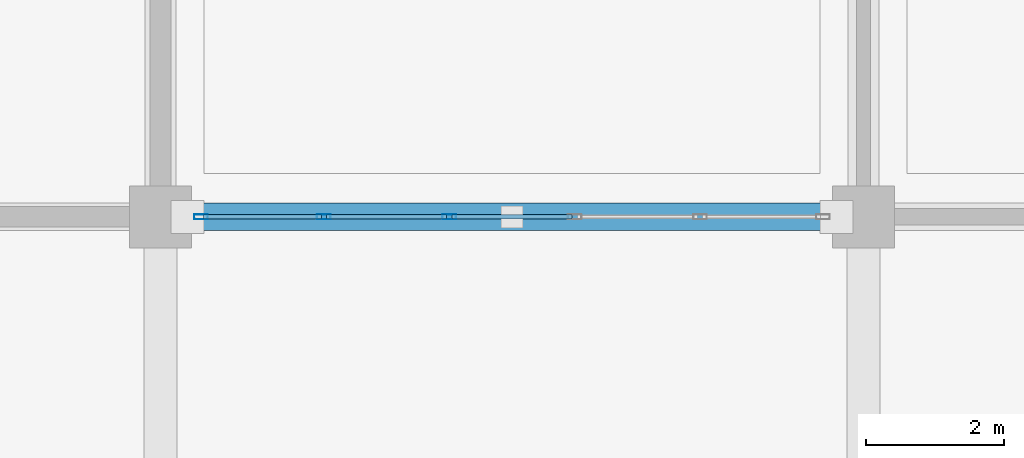
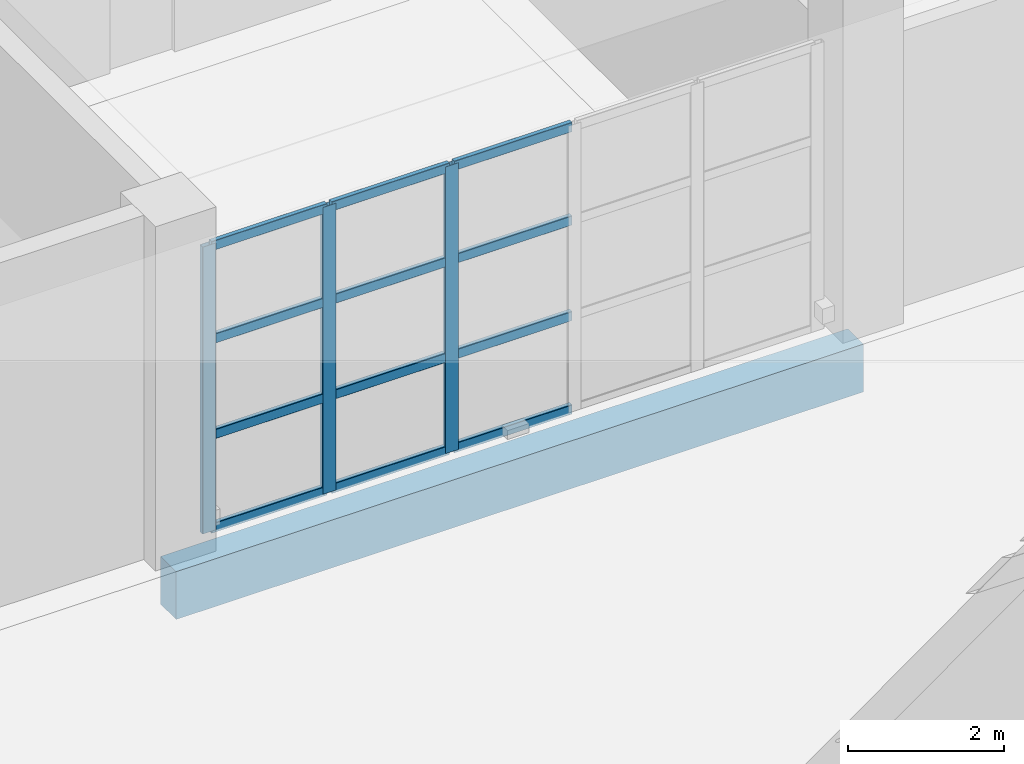
# One storey, part 36 of 175: 15 members, 1 beam, 1 element without a shape of its own.
"""IFC4 building model written with IfcOpenShell, lengths in metres."""

from ifc_helpers import new_model, si_unit, direction, frame, origin, origin_2d, place, context, subcontext, project, spatial, rectangle, hollow_rectangle, extrude, material, material_profile, profile_set, type_object, element, aggregate, save


model = new_model("IFC4")

# Units and contexts
model_context = context("Model", 3, precision=1e-05, world=origin(), true_north=direction((0.0, 1.0)))
body_context = subcontext(model_context, "Body", "Model", "MODEL_VIEW")
ifc_project = project(units=[si_unit("LENGTHUNIT", "METRE"), si_unit("AREAUNIT", "SQUARE_METRE"), si_unit("VOLUMEUNIT", "CUBIC_METRE"), si_unit("PLANEANGLEUNIT", "RADIAN"), si_unit("MASSUNIT", "GRAM", prefix="KILO")], contexts=[model_context])

# Site, building, storey
site_placement = place(None, origin())
site = spatial("IfcSite", under=ifc_project, at=site_placement, CompositionType="ELEMENT")
building_placement = place(site_placement, origin())
building = spatial("IfcBuilding", under=site, at=building_placement, Name="Brelvane Convention Centre", CompositionType="ELEMENT")
storey_placement = place(building_placement, frame((0.0, 0.0, 5.39990234375)))
storey = spatial("IfcBuildingStorey", under=building, at=storey_placement, Name="L01", CompositionType="ELEMENT", Elevation=5.39990234375)

# Curtain wall, members
ifc_material_1 = material(Name="Anodised Aluminium Alloy 6063-T6", Category="aluminium")
curtain_wall_type = type_object("IfcCurtainWallType", Name="Curtain Wall CW-COURT", PredefinedType="USERDEFINED", material=ifc_material_1)
curtain_wall_placement = place(storey_placement, origin())
curtain_wall = element("IfcCurtainWall", 1, at=curtain_wall_placement, inside=storey, type_object=curtain_wall_type, Name="Curtain Wall CW-COURT L01-V4S-05", ObjectType="UNITISED", PredefinedType="USERDEFINED")
ifc_material_2 = material(Name="Anodised Aluminium Alloy 6063-T6", Category="aluminium")
ifc_material_profile_1 = material_profile(ifc_material_2, hollow_rectangle(XDim=0.074951171875, YDim=0.199951171875, WallThickness=0.0048828125, InnerFilletRadius=0.0048828125, OuterFilletRadius=0.010009765625, at=origin_2d()), Name="ALU-M 200x75x5.0")
ifc_profile_set_1 = profile_set([ifc_material_profile_1], Name="Anodised Aluminium Alloy 6063-T6")
member_type_1 = type_object("IfcMemberType", Name="Curtain Mullion CW-M2", PredefinedType="MULLION", material=ifc_profile_set_1)
member_1_placement = place(storey_placement, frame((41.387451171875, 109.199951171875, 0.0), z_axis=(0.0, 0.0, 1.0), x_axis=(0.0, 1.0, 0.0)))
member_1 = element("IfcMember", 2, at=member_1_placement, type_object=member_type_1, Name="CW-COURT mullion 1", PredefinedType="MULLION", context=body_context, shape_type="SweptSolid", body=[
    extrude(hollow_rectangle(XDim=0.074951171875, YDim=0.199951171875, WallThickness=0.0048828125, InnerFilletRadius=0.0048828125, OuterFilletRadius=0.010009765625, at=origin_2d()), origin(), (0.0, 0.0, 1.0), 4.5),
])
member_2_placement = place(storey_placement, frame((43.169921875, 109.199951171875, 0.0), z_axis=(0.0, 0.0, 1.0), x_axis=(0.0, 1.0, 0.0)))
member_2 = element("IfcMember", 3, at=member_2_placement, type_object=member_type_1, Name="CW-COURT mullion 2", PredefinedType="MULLION", context=body_context, shape_type="SweptSolid", body=[
    extrude(hollow_rectangle(XDim=0.074951171875, YDim=0.199951171875, WallThickness=0.0048828125, InnerFilletRadius=0.0048828125, OuterFilletRadius=0.010009765625, at=origin_2d()), origin(), (0.0, 0.0, 1.0), 4.5),
])
member_3_placement = place(storey_placement, frame((44.989990234375, 109.199951171875, 0.0), z_axis=(0.0, 0.0, 1.0), x_axis=(0.0, 1.0, 0.0)))
member_3 = element("IfcMember", 4, at=member_3_placement, type_object=member_type_1, Name="CW-COURT mullion 3", PredefinedType="MULLION", context=body_context, shape_type="SweptSolid", body=[
    extrude(hollow_rectangle(XDim=0.074951171875, YDim=0.199951171875, WallThickness=0.0048828125, InnerFilletRadius=0.0048828125, OuterFilletRadius=0.010009765625, at=origin_2d()), origin(), (0.0, 0.0, 1.0), 4.5),
])
ifc_material_3 = material(Name="Anodised Aluminium Alloy 6063-T6", Category="aluminium")
ifc_material_profile_2 = material_profile(ifc_material_3, hollow_rectangle(XDim=0.070068359375, YDim=0.14990234375, WallThickness=0.00439453125, InnerFilletRadius=0.00439453125, OuterFilletRadius=0.009033203125, at=origin_2d()), Name="ALU-T 150x70x4.5")
ifc_profile_set_2 = profile_set([ifc_material_profile_2], Name="Anodised Aluminium Alloy 6063-T6")
member_type_2 = type_object("IfcMemberType", Name="Curtain Transom CW-T2", PredefinedType="USERDEFINED", material=ifc_profile_set_2)
member_4_placement = place(storey_placement, frame((41.425048828125, 109.199951171875, 0.03515625), z_axis=(1.0, 0.0, 0.0), x_axis=(0.0, 1.0, 0.0)))
member_4 = element("IfcMember", 5, at=member_4_placement, type_object=member_type_2, Name="CW-COURT transom 1.1", ObjectType="TRANSOM", PredefinedType="USERDEFINED", context=body_context, shape_type="SweptSolid", body=[
    extrude(hollow_rectangle(XDim=0.070068359375, YDim=0.14990234375, WallThickness=0.00439453125, InnerFilletRadius=0.00439453125, OuterFilletRadius=0.009033203125, at=origin_2d()), origin(), (0.0, 0.0, 1.0), 1.70751953125),
])
member_5_placement = place(storey_placement, frame((41.425048828125, 109.199951171875, 1.5), z_axis=(1.0, 0.0, 0.0), x_axis=(0.0, 1.0, 0.0)))
member_5 = element("IfcMember", 6, at=member_5_placement, type_object=member_type_2, Name="CW-COURT transom 1.2", ObjectType="TRANSOM", PredefinedType="USERDEFINED", context=body_context, shape_type="SweptSolid", body=[
    extrude(hollow_rectangle(XDim=0.070068359375, YDim=0.14990234375, WallThickness=0.00439453125, InnerFilletRadius=0.00439453125, OuterFilletRadius=0.009033203125, at=origin_2d()), origin(), (0.0, 0.0, 1.0), 1.70751953125),
])
member_6_placement = place(storey_placement, frame((41.425048828125, 109.199951171875, 3.0), z_axis=(1.0, 0.0, 0.0), x_axis=(0.0, 1.0, 0.0)))
member_6 = element("IfcMember", 7, at=member_6_placement, type_object=member_type_2, Name="CW-COURT transom 1.3", ObjectType="TRANSOM", PredefinedType="USERDEFINED", context=body_context, shape_type="SweptSolid", body=[
    extrude(hollow_rectangle(XDim=0.070068359375, YDim=0.14990234375, WallThickness=0.00439453125, InnerFilletRadius=0.00439453125, OuterFilletRadius=0.009033203125, at=origin_2d()), origin(), (0.0, 0.0, 1.0), 1.70751953125),
])
member_7_placement = place(storey_placement, frame((41.425048828125, 109.199951171875, 4.465087890625), z_axis=(1.0, 0.0, 0.0), x_axis=(0.0, 1.0, 0.0)))
member_7 = element("IfcMember", 8, at=member_7_placement, type_object=member_type_2, Name="CW-COURT transom 1.4", ObjectType="TRANSOM", PredefinedType="USERDEFINED", context=body_context, shape_type="SweptSolid", body=[
    extrude(hollow_rectangle(XDim=0.070068359375, YDim=0.14990234375, WallThickness=0.00439453125, InnerFilletRadius=0.00439453125, OuterFilletRadius=0.009033203125, at=origin_2d()), origin(), (0.0, 0.0, 1.0), 1.70751953125),
])
member_8_placement = place(storey_placement, frame((43.20751953125, 109.199951171875, 0.03515625), z_axis=(1.0, 0.0, 0.0), x_axis=(0.0, 1.0, 0.0)))
member_8 = element("IfcMember", 9, at=member_8_placement, type_object=member_type_2, Name="CW-COURT transom 2.1", ObjectType="TRANSOM", PredefinedType="USERDEFINED", context=body_context, shape_type="SweptSolid", body=[
    extrude(hollow_rectangle(XDim=0.070068359375, YDim=0.14990234375, WallThickness=0.00439453125, InnerFilletRadius=0.00439453125, OuterFilletRadius=0.009033203125, at=origin_2d()), origin(), (0.0, 0.0, 1.0), 1.744873046875),
])
member_9_placement = place(storey_placement, frame((43.20751953125, 109.199951171875, 1.5), z_axis=(1.0, 0.0, 0.0), x_axis=(0.0, 1.0, 0.0)))
member_9 = element("IfcMember", 10, at=member_9_placement, type_object=member_type_2, Name="CW-COURT transom 2.2", ObjectType="TRANSOM", PredefinedType="USERDEFINED", context=body_context, shape_type="SweptSolid", body=[
    extrude(hollow_rectangle(XDim=0.070068359375, YDim=0.14990234375, WallThickness=0.00439453125, InnerFilletRadius=0.00439453125, OuterFilletRadius=0.009033203125, at=origin_2d()), origin(), (0.0, 0.0, 1.0), 1.744873046875),
])
member_10_placement = place(storey_placement, frame((43.20751953125, 109.199951171875, 3.0), z_axis=(1.0, 0.0, 0.0), x_axis=(0.0, 1.0, 0.0)))
member_10 = element("IfcMember", 11, at=member_10_placement, type_object=member_type_2, Name="CW-COURT transom 2.3", ObjectType="TRANSOM", PredefinedType="USERDEFINED", context=body_context, shape_type="SweptSolid", body=[
    extrude(hollow_rectangle(XDim=0.070068359375, YDim=0.14990234375, WallThickness=0.00439453125, InnerFilletRadius=0.00439453125, OuterFilletRadius=0.009033203125, at=origin_2d()), origin(), (0.0, 0.0, 1.0), 1.744873046875),
])
member_11_placement = place(storey_placement, frame((43.20751953125, 109.199951171875, 4.465087890625), z_axis=(1.0, 0.0, 0.0), x_axis=(0.0, 1.0, 0.0)))
member_11 = element("IfcMember", 12, at=member_11_placement, type_object=member_type_2, Name="CW-COURT transom 2.4", ObjectType="TRANSOM", PredefinedType="USERDEFINED", context=body_context, shape_type="SweptSolid", body=[
    extrude(hollow_rectangle(XDim=0.070068359375, YDim=0.14990234375, WallThickness=0.00439453125, InnerFilletRadius=0.00439453125, OuterFilletRadius=0.009033203125, at=origin_2d()), origin(), (0.0, 0.0, 1.0), 1.744873046875),
])
member_12_placement = place(storey_placement, frame((45.027587890625, 109.199951171875, 0.03515625), z_axis=(1.0, 0.0, 0.0), x_axis=(0.0, 1.0, 0.0)))
member_12 = element("IfcMember", 13, at=member_12_placement, type_object=member_type_2, Name="CW-COURT transom 3.1", ObjectType="TRANSOM", PredefinedType="USERDEFINED", context=body_context, shape_type="SweptSolid", body=[
    extrude(hollow_rectangle(XDim=0.070068359375, YDim=0.14990234375, WallThickness=0.00439453125, InnerFilletRadius=0.00439453125, OuterFilletRadius=0.009033203125, at=origin_2d()), origin(), (0.0, 0.0, 1.0), 1.744873046875),
])
member_13_placement = place(storey_placement, frame((45.027587890625, 109.199951171875, 1.5), z_axis=(1.0, 0.0, 0.0), x_axis=(0.0, 1.0, 0.0)))
member_13 = element("IfcMember", 14, at=member_13_placement, type_object=member_type_2, Name="CW-COURT transom 3.2", ObjectType="TRANSOM", PredefinedType="USERDEFINED", context=body_context, shape_type="SweptSolid", body=[
    extrude(hollow_rectangle(XDim=0.070068359375, YDim=0.14990234375, WallThickness=0.00439453125, InnerFilletRadius=0.00439453125, OuterFilletRadius=0.009033203125, at=origin_2d()), origin(), (0.0, 0.0, 1.0), 1.744873046875),
])
member_14_placement = place(storey_placement, frame((45.027587890625, 109.199951171875, 3.0), z_axis=(1.0, 0.0, 0.0), x_axis=(0.0, 1.0, 0.0)))
member_14 = element("IfcMember", 15, at=member_14_placement, type_object=member_type_2, Name="CW-COURT transom 3.3", ObjectType="TRANSOM", PredefinedType="USERDEFINED", context=body_context, shape_type="SweptSolid", body=[
    extrude(hollow_rectangle(XDim=0.070068359375, YDim=0.14990234375, WallThickness=0.00439453125, InnerFilletRadius=0.00439453125, OuterFilletRadius=0.009033203125, at=origin_2d()), origin(), (0.0, 0.0, 1.0), 1.744873046875),
])
member_15_placement = place(storey_placement, frame((45.027587890625, 109.199951171875, 4.465087890625), z_axis=(1.0, 0.0, 0.0), x_axis=(0.0, 1.0, 0.0)))
member_15 = element("IfcMember", 16, at=member_15_placement, type_object=member_type_2, Name="CW-COURT transom 3.4", ObjectType="TRANSOM", PredefinedType="USERDEFINED", context=body_context, shape_type="SweptSolid", body=[
    extrude(hollow_rectangle(XDim=0.070068359375, YDim=0.14990234375, WallThickness=0.00439453125, InnerFilletRadius=0.00439453125, OuterFilletRadius=0.009033203125, at=origin_2d()), origin(), (0.0, 0.0, 1.0), 1.744873046875),
])
aggregate(curtain_wall, [member_1, member_2, member_3, member_4, member_5, member_6, member_7, member_8, member_9, member_10, member_11, member_12, member_13, member_14, member_15])

# Beam
ifc_material_4 = material(Name="Concrete M40", Category="concrete")
ifc_material_profile_3 = material_profile(ifc_material_4, rectangle(XDim=0.39990234375, YDim=0.75, at=origin_2d()), Name="RC 400x750")
ifc_profile_set_3 = profile_set([ifc_material_profile_3], Name="Concrete M40")
beam_type = type_object("IfcBeamType", Name="RC Spandrel SP-RC1 (RC 400x750)", PredefinedType="SPANDREL", material=ifc_profile_set_3)
beam_placement = place(storey_placement, frame((40.800048828125, 109.199951171875, -0.69482421875), z_axis=(1.0, 0.0, 0.0), x_axis=(0.0, 1.0, 0.0)))
element("IfcBeam", 17, at=beam_placement, inside=storey, type_object=beam_type, Name="L01 Beam 5-6/L", PredefinedType="SPANDREL", context=body_context, shape_type="SweptSolid", body=[
    extrude(rectangle(XDim=0.39990234375, YDim=0.75, at=origin_2d()), origin(), (0.0, 0.0, 1.0), 10.199951171875),
])

save(model, "model.ifc")
